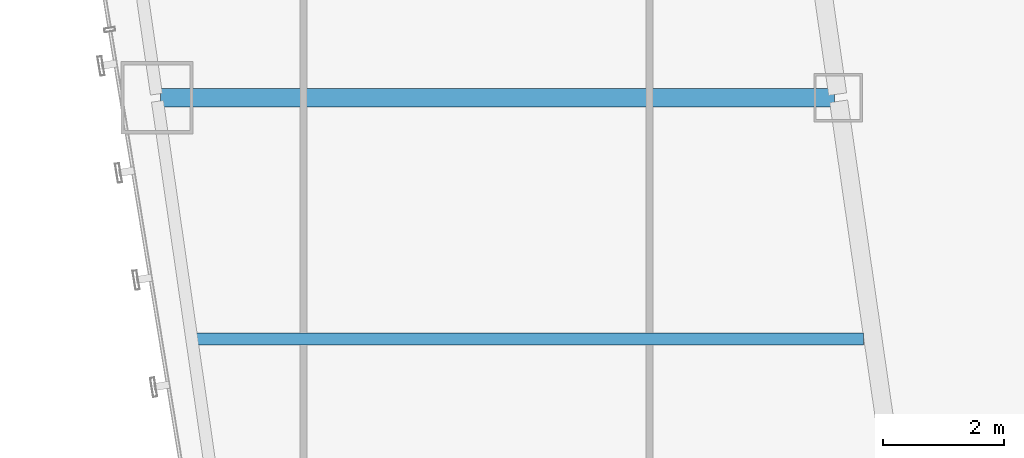
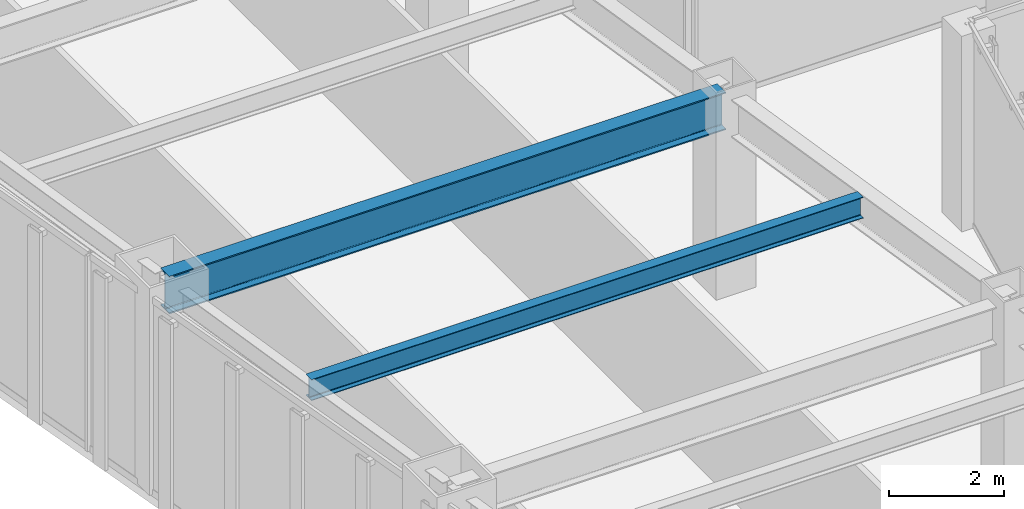
# One storey, part 6 of 47: 2 beams.
"""IFC4 building model written with IfcOpenShell, lengths in metres."""

from ifc_helpers import new_model, si_unit, direction, frame, origin, origin_2d, place, context, subcontext, project, spatial, i_section, extrude, material, material_profile, profile_set, type_object, element, save


model = new_model("IFC4")

# Units and contexts
model_context = context("Model", 3, precision=1e-05, world=origin(), true_north=direction((0.0, 1.0)))
body_context = subcontext(model_context, "Body", "Model", "MODEL_VIEW")
ifc_project = project(units=[si_unit("LENGTHUNIT", "METRE"), si_unit("AREAUNIT", "SQUARE_METRE"), si_unit("VOLUMEUNIT", "CUBIC_METRE"), si_unit("PLANEANGLEUNIT", "RADIAN"), si_unit("MASSUNIT", "GRAM", prefix="KILO")], contexts=[model_context])

# Site, building, storey
site_placement = place(None, origin())
site = spatial("IfcSite", under=ifc_project, at=site_placement, CompositionType="ELEMENT")
building_placement = place(site_placement, origin())
building = spatial("IfcBuilding", under=site, at=building_placement, Name="Saevonmaru Cultural Tower", CompositionType="ELEMENT")
storey_placement = place(building_placement, frame((0.0, 0.0, 51.60009765625)))
storey = spatial("IfcBuildingStorey", under=building, at=storey_placement, Name="L10", CompositionType="ELEMENT", Elevation=51.60009765625)

# Beams
ifc_material_1 = material(Name="Steel SM420", Category="steel")
ifc_material_profile_1 = material_profile(ifc_material_1, i_section(OverallWidth=0.300048828125, OverallDepth=0.800048828125, WebThickness=0.013916015625, FlangeThickness=0.02587890625, FilletRadius=0.028076171875, at=origin_2d()), Name="H-800x300x14x26")
ifc_profile_set_1 = profile_set([ifc_material_profile_1], Name="Steel SM420")
beam_type_1 = type_object("IfcBeamType", Name="BM-G-H800", PredefinedType="BEAM", material=ifc_profile_set_1)
beam_1_placement = place(storey_placement, frame((10.68798828125, 16.0, 3.75), z_axis=(1.0, 0.0, 0.0), x_axis=(0.0, 1.0, 0.0)))
element("IfcBeam", 1, at=beam_1_placement, inside=storey, type_object=beam_type_1, Name="L10 West Wing Transverse Girder 3", PredefinedType="BEAM", context=body_context, shape_type="SweptSolid", body=[
    extrude(i_section(OverallWidth=0.300048828125, OverallDepth=0.800048828125, WebThickness=0.013916015625, FlangeThickness=0.02587890625, FilletRadius=0.028076171875, at=origin_2d()), origin(), (0.0, 0.0, 1.0), 11.179931640625),
])
ifc_material_2 = material(Name="Steel SM355", Category="steel")
ifc_material_profile_2 = material_profile(ifc_material_2, i_section(OverallWidth=0.199951171875, OverallDepth=0.449951171875, WebThickness=0.009033203125, FlangeThickness=0.013916015625, FilletRadius=0.01806640625, at=origin_2d()), Name="H-450x200x9x14")
ifc_profile_set_2 = profile_set([ifc_material_profile_2], Name="Steel SM355")
beam_type_2 = type_object("IfcBeamType", Name="BM-J-H450", PredefinedType="JOIST", material=ifc_profile_set_2)
beam_2_placement = place(storey_placement, frame((11.265380859375, 12.0, 3.9248046875), z_axis=(1.0, 0.0, 0.0), x_axis=(0.0, 1.0, 0.0)))
element("IfcBeam", 2, at=beam_2_placement, inside=storey, type_object=beam_type_2, Name="L10 West Wing Floor Joist 2", PredefinedType="JOIST", context=body_context, shape_type="SweptSolid", body=[
    extrude(i_section(OverallWidth=0.199951171875, OverallDepth=0.449951171875, WebThickness=0.009033203125, FlangeThickness=0.013916015625, FilletRadius=0.01806640625, at=origin_2d()), origin(), (0.0, 0.0, 1.0), 11.08203125),
])

save(model, "model.ifc")
